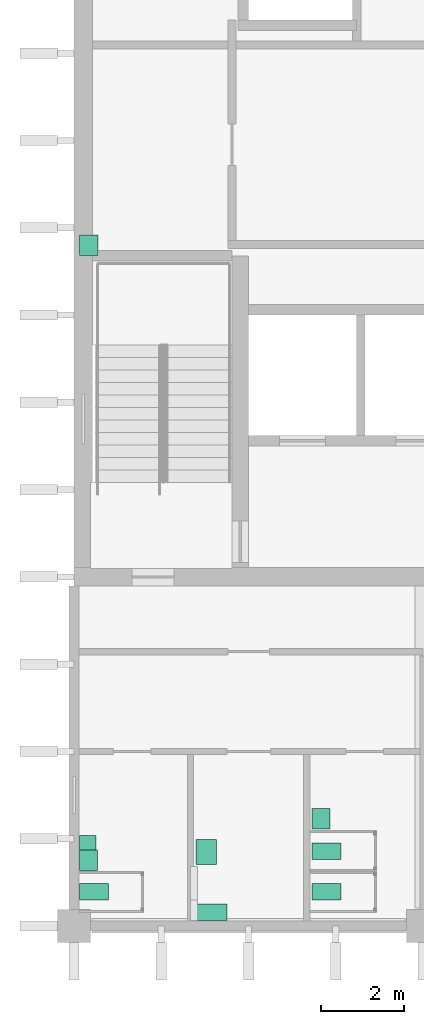
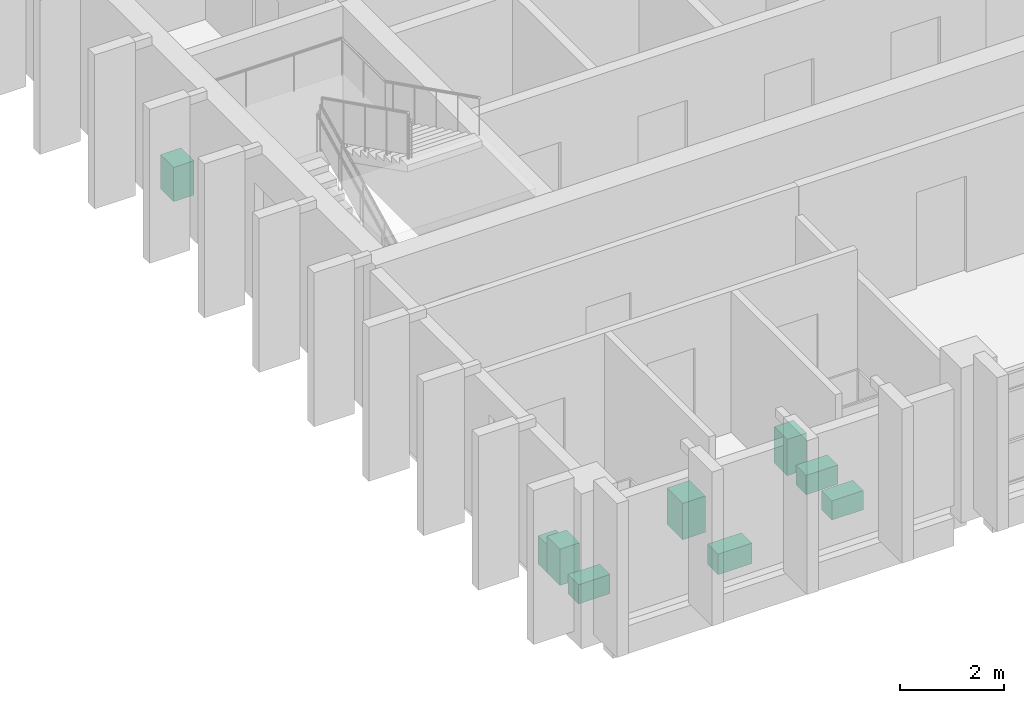
# One storey, part 11 of 11: 9 sanitary terminals.
"""IFC4 building model written with IfcOpenShell, lengths in metres."""

from ifc_helpers import new_model, si_unit, direction, frame, origin, origin_2d, place, context, subcontext, project, spatial, rectangle, extrude, material, type_object, element, save


model = new_model("IFC4")

# Units and contexts
model_context = context("Model", 3, precision=1e-05, world=origin(), true_north=direction((0.0, 1.0)))
body_context = subcontext(model_context, "Body", "Model", "MODEL_VIEW")
ifc_project = project(units=[si_unit("LENGTHUNIT", "METRE"), si_unit("AREAUNIT", "SQUARE_METRE"), si_unit("VOLUMEUNIT", "CUBIC_METRE"), si_unit("PLANEANGLEUNIT", "RADIAN"), si_unit("MASSUNIT", "GRAM", prefix="KILO")], contexts=[model_context])

# Site, building, storey
site_placement = place(None, origin())
site = spatial("IfcSite", under=ifc_project, at=site_placement, CompositionType="ELEMENT")
building_placement = place(site_placement, origin())
building = spatial("IfcBuilding", under=site, at=building_placement, Name="Rulbaag Community and Learning Centre", CompositionType="ELEMENT")
storey_placement = place(building_placement, frame((0.0, 0.0, 36.0)))
storey = spatial("IfcBuildingStorey", under=building, at=storey_placement, Name="L09", CompositionType="ELEMENT", Elevation=36.0)

# Sanitary terminals
ifc_material_1 = material(Name="Vitreous china", Category="ceramic")
sanitary_terminal_type_1 = type_object("IfcSanitaryTerminalType", Name="BS-500", PredefinedType="WASHHANDBASIN", material=ifc_material_1)
for number, where, z_axis, x_axis, name in (
    (1, (143.14501953125, 85.580078125, 0.0), (0.0, 0.0, 1.0), (1.0, 0.0, 0.0), "Basin 90"),
    (2, (148.7451171875, 86.580078125, 0.0), (0.0, 0.0, 1.0), (1.0, 0.0, 0.0), "Basin 91"),
):
    element("IfcSanitaryTerminal", number, at=place(storey_placement, frame(where, z_axis=z_axis, x_axis=x_axis)), inside=storey, type_object=sanitary_terminal_type_1, Name=name, PredefinedType="WASHHANDBASIN", context=body_context, shape_type="SweptSolid", body=[
        extrude(rectangle(XDim=0.429931640625, YDim=0.5, at=origin_2d()), origin(), (0.0, 0.0, 1.0), 0.85009765625),
    ])
sanitary_terminal_type_2 = type_object("IfcSanitaryTerminalType", Name="BS-AC-600", PredefinedType="WASHHANDBASIN", material=ifc_material_1)
sanitary_terminal_1_placement = place(storey_placement, frame((145.97998046875, 85.780029296875, 0.0), z_axis=(0.0, 0.0, 1.0), x_axis=(1.0, 0.0, 0.0)))
element("IfcSanitaryTerminal", 3, at=sanitary_terminal_1_placement, inside=storey, type_object=sanitary_terminal_type_2, Name="Basin 92", PredefinedType="WASHHANDBASIN", context=body_context, shape_type="SweptSolid", body=[
    extrude(rectangle(XDim=0.5, YDim=0.60009765625, at=origin_2d()), origin(), (0.0, 0.0, 1.0), 0.85009765625),
])
ifc_material_2 = material(Name="Stainless steel", Category="steel")
sanitary_terminal_type_3 = type_object("IfcSanitaryTerminalType", Name="SK-CL-500", PredefinedType="SINK", material=ifc_material_2)
sanitary_terminal_2_placement = place(storey_placement, frame((143.155029296875, 100.3798828125, 0.0), z_axis=(0.0, 0.0, 1.0), x_axis=(1.0, 0.0, 0.0)))
element("IfcSanitaryTerminal", 4, at=sanitary_terminal_2_placement, inside=storey, type_object=sanitary_terminal_type_3, Name="Sink 18", PredefinedType="SINK", context=body_context, shape_type="SweptSolid", body=[
    extrude(rectangle(XDim=0.449951171875, YDim=0.5, at=origin_2d()), origin(), (0.0, 0.0, 1.0), 0.800048828125),
])
sanitary_terminal_type_4 = type_object("IfcSanitaryTerminalType", Name="UR-350", PredefinedType="URINAL", material=ifc_material_1)
sanitary_terminal_3_placement = place(storey_placement, frame((143.1298828125, 86.0048828125, 0.0), z_axis=(0.0, 0.0, 1.0), x_axis=(1.0, 0.0, 0.0)))
element("IfcSanitaryTerminal", 5, at=sanitary_terminal_3_placement, inside=storey, type_object=sanitary_terminal_type_4, Name="Urinal 159", PredefinedType="URINAL", context=body_context, shape_type="SweptSolid", body=[
    extrude(rectangle(XDim=0.39990234375, YDim=0.35009765625, at=origin_2d()), origin(), (0.0, 0.0, 1.0), 0.64990234375),
])
sanitary_terminal_type_5 = type_object("IfcSanitaryTerminalType", Name="WC-400", PredefinedType="TOILETPAN", material=ifc_material_1)
for number, where, z_axis, x_axis, name in (
    (6, (143.280029296875, 84.820068359375, 0.0), (0.0, 0.0, 1.0), (1.0, 0.0, 0.0), "WC 150"),
    (7, (148.8798828125, 84.820068359375, 0.0), (0.0, 0.0, 1.0), (1.0, 0.0, 0.0), "WC 151"),
    (8, (148.8798828125, 85.800048828125, 0.0), (0.0, 0.0, 1.0), (1.0, 0.0, 0.0), "WC 152"),
):
    element("IfcSanitaryTerminal", number, at=place(storey_placement, frame(where, z_axis=z_axis, x_axis=x_axis)), inside=storey, type_object=sanitary_terminal_type_5, Name=name, PredefinedType="TOILETPAN", context=body_context, shape_type="SweptSolid", body=[
        extrude(rectangle(XDim=0.699951171875, YDim=0.39990234375, at=origin_2d()), origin(), (0.0, 0.0, 1.0), 0.449951171875),
    ])
sanitary_terminal_type_6 = type_object("IfcSanitaryTerminalType", Name="WC-AC-480", PredefinedType="TOILETPAN", material=ifc_material_1)
sanitary_terminal_4_placement = place(storey_placement, frame((146.10498046875, 84.330078125, 0.0), z_axis=(0.0, 0.0, 1.0), x_axis=(1.0, 0.0, 0.0)))
element("IfcSanitaryTerminal", 9, at=sanitary_terminal_4_placement, inside=storey, type_object=sanitary_terminal_type_6, Name="WC 153", PredefinedType="TOILETPAN", context=body_context, shape_type="SweptSolid", body=[
    extrude(rectangle(XDim=0.75, YDim=0.39990234375, at=origin_2d()), origin(), (0.0, 0.0, 1.0), 0.47998046875),
])

save(model, "model.ifc")
